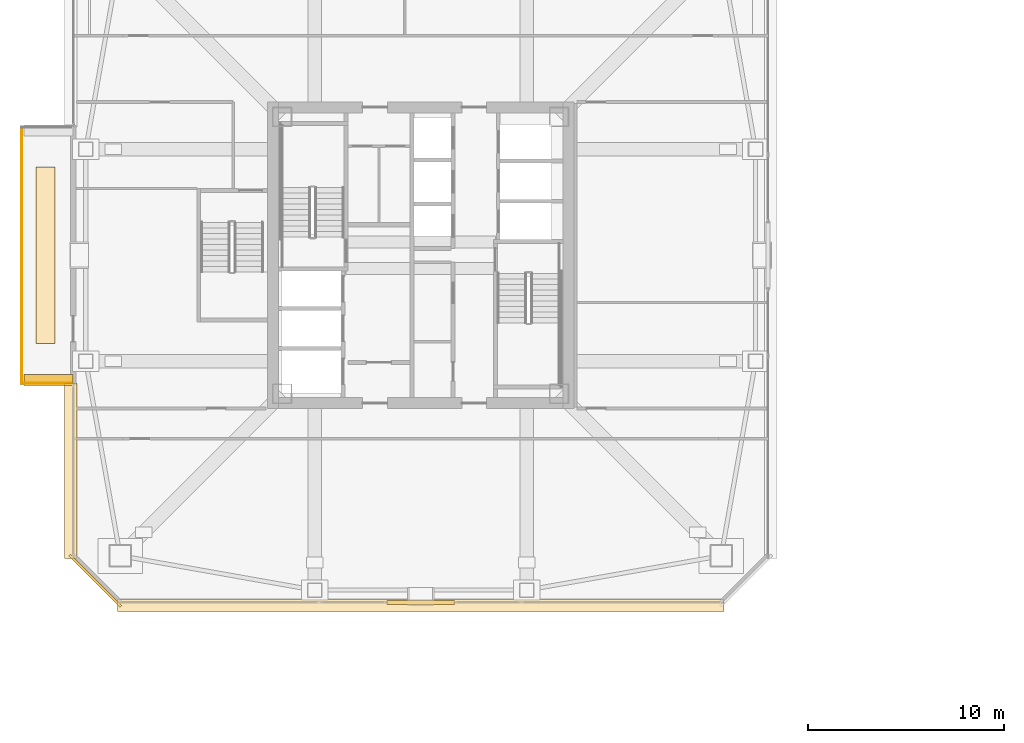
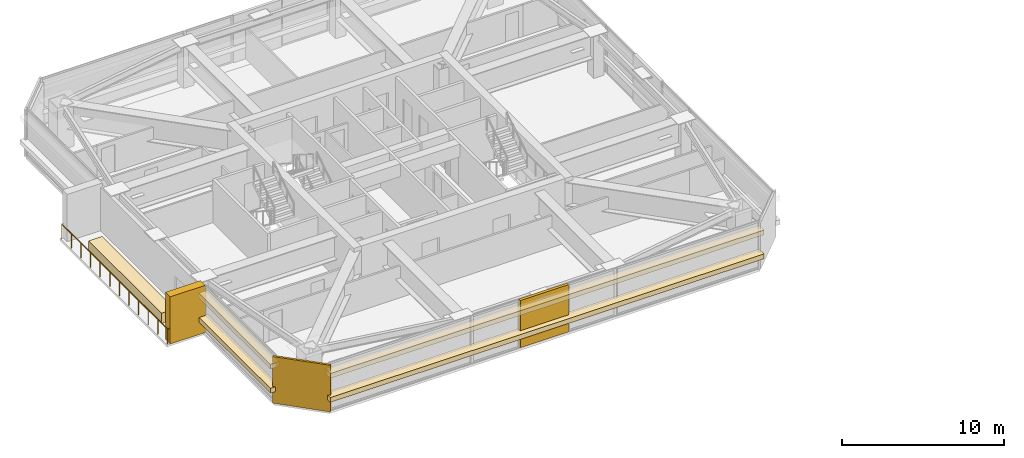
# One storey, part 37 of 42: 8 coverings, 2 railings.
"""IFC4 building model written with IfcOpenShell, lengths in metres."""

from ifc_helpers import new_model, si_unit, direction, frame, origin, origin_2d, place, context, subcontext, project, spatial, rectangle, extrude, material, layer, layer_set, type_object, element, save


model = new_model("IFC4")

# Units and contexts
model_context = context("Model", 3, precision=1e-05, world=origin(), true_north=direction((0.0, 1.0)))
body_context = subcontext(model_context, "Body", "Model", "MODEL_VIEW")
ifc_project = project(units=[si_unit("LENGTHUNIT", "METRE"), si_unit("AREAUNIT", "SQUARE_METRE"), si_unit("VOLUMEUNIT", "CUBIC_METRE"), si_unit("PLANEANGLEUNIT", "RADIAN"), si_unit("MASSUNIT", "GRAM", prefix="KILO")], contexts=[model_context])

# Site, building, storey
site_placement = place(None, origin())
site = spatial("IfcSite", under=ifc_project, at=site_placement, CompositionType="ELEMENT")
building_placement = place(site_placement, origin())
building = spatial("IfcBuilding", under=site, at=building_placement, Name="Tashvorn Skyway Center", CompositionType="ELEMENT")
storey_placement = place(building_placement, frame((0.0, 0.0, 196.050048828125)))
storey = spatial("IfcBuildingStorey", under=building, at=storey_placement, Name="L53", CompositionType="ELEMENT", Elevation=196.050048828125)

# Coverings
ifc_material_1 = material(Name="Precast concrete C40/50", Category="concrete")
ifc_layer_1 = layer(ifc_material_1, 0.199951171875)
ifc_layer_set_1 = layer_set([ifc_layer_1], Name="Precast concrete C40/50")
covering_type_1 = type_object("IfcCoveringType", Name="COV-BRACE-CLAD", PredefinedType="CLADDING", material=ifc_layer_set_1)
covering_1_placement = place(storey_placement, frame((42.0, 14.320068359375, 0.0), z_axis=(0.0, 0.0, 1.0), x_axis=(-1.0, 0.0, 0.0)))
element("IfcCovering", 1, at=covering_1_placement, inside=storey, type_object=covering_type_1, Name="Tower 1 L53 South Unitised Curtain Wall Mega-Brace Cladding Band 1", PredefinedType="CLADDING", context=body_context, shape_type="SweptSolid", body=[
    extrude(rectangle(XDim=3.417724609375, YDim=0.199951171875, at=origin_2d()), origin(), (0.0, 0.0, 1.0), 3.550048828125),
])
ifc_material_2 = material(Name="Perforated ceramic-coated bronze aluminium solar screen", Category="aluminium")
ifc_layer_2 = layer(ifc_material_2, 0.85009765625)
ifc_layer_set_2 = layer_set([ifc_layer_2], Name="Perforated ceramic-coated bronze aluminium solar screen")
covering_type_2 = type_object("IfcCoveringType", Name="COV-SOLAR-BAND", PredefinedType="CLADDING", material=ifc_layer_set_2)
for number, where, z_axis, x_axis, name in (
    (2, (42.0, 14.179931640625, 0.919921875), (0.0, 0.0, 1.0), (-1.0, 0.0, 0.0), "L53 Perforated Ceramic-Metal Solar Screen Louvre Band South 1"),
    (3, (42.0, 14.179931640625, 2.7197265625), (0.0, 0.0, 1.0), (-1.0, 0.0, 0.0), "L53 Perforated Ceramic-Metal Solar Screen Louvre Band South 2"),
):
    element("IfcCovering", number, at=place(storey_placement, frame(where, z_axis=z_axis, x_axis=x_axis)), inside=storey, type_object=covering_type_2, Name=name, PredefinedType="CLADDING", context=body_context, shape_type="SweptSolid", body=[
        extrude(rectangle(XDim=30.8798828125, YDim=0.639892578125, at=origin_2d()), origin(), (0.0, 0.0, 1.0), 0.360107421875),
    ])
for number, where, z_axis, x_axis, name in (
    (4, (24.179931640625, 21.010009765625, 0.919921875), (0.0, 0.0, 1.0), (0.0, 1.0, 0.0), "L53 Perforated Ceramic-Metal Solar Screen Louvre Band West 1"),
    (5, (24.179931640625, 21.010009765625, 2.7197265625), (0.0, 0.0, 1.0), (0.0, 1.0, 0.0), "L53 Perforated Ceramic-Metal Solar Screen Louvre Band West 2"),
):
    element("IfcCovering", number, at=place(storey_placement, frame(where, z_axis=z_axis, x_axis=x_axis)), inside=storey, type_object=covering_type_2, Name=name, PredefinedType="CLADDING", context=body_context, shape_type="SweptSolid", body=[
        extrude(rectangle(XDim=8.89990234375, YDim=0.639892578125, at=origin_2d()), origin(), (0.0, 0.0, 1.0), 0.360107421875),
    ])
ifc_layer_3 = layer(ifc_material_1, 0.35009765625)
ifc_layer_set_3 = layer_set([ifc_layer_3], Name="Precast concrete C40/50")
covering_type_3 = type_object("IfcCoveringType", Name="COV-STONE-TRIM", PredefinedType="CLADDING", material=ifc_layer_set_3)
covering_2_placement = place(storey_placement, frame((23.050048828125, 25.64990234375, 0.0), z_axis=(0.0, 0.0, 1.0), x_axis=(0.0, 1.0, 0.0)))
element("IfcCovering", 6, at=covering_2_placement, inside=storey, type_object=covering_type_3, Name="Tower 1 L53 Sky Garden Loggia Pier L", PredefinedType="CLADDING", context=body_context, shape_type="SweptSolid", body=[
    extrude(rectangle(XDim=0.580078125, YDim=2.5, at=origin_2d()), origin(), (0.0, 0.0, 1.0), 3.550048828125),
])
covering_3_placement = place(storey_placement, frame((22.89990234375, 32.0, 0.0), z_axis=(0.0, 0.0, 1.0), x_axis=(0.0, 1.0, 0.0)))
element("IfcCovering", 7, at=covering_3_placement, inside=storey, type_object=covering_type_3, Name="Tower 1 L53 Sky Garden Stone Planter Bed", PredefinedType="CLADDING", context=body_context, shape_type="SweptSolid", body=[
    extrude(rectangle(XDim=8.97607421875, YDim=0.949951171875, at=origin_2d()), origin(), (0.0, 0.0, 1.0), 0.800048828125),
])
covering_4_placement = place(storey_placement, frame((25.429931640625, 15.429931640625, 0.02001953125), z_axis=(0.0, 0.0, 1.0), x_axis=(-0.707106781187, 0.707106781187, 0.0)))
element("IfcCovering", 8, at=covering_4_placement, inside=storey, type_object=covering_type_3, Name="Tower 1 L53 SW Mojave Limestone Corner Quoin", PredefinedType="CLADDING", context=body_context, shape_type="SweptSolid", body=[
    extrude(rectangle(XDim=3.695556640625, YDim=0.139892578125, at=origin_2d()), origin(), (0.0, 0.0, 1.0), 3.510009765625),
])

# Railings
ifc_material_3 = material(Name="Galvanized steel S355", Category="steel")
railing_type = type_object("IfcRailingType", Name="RAIL-GUARD-1120", PredefinedType="GUARDRAIL", material=ifc_material_3)
railing_1_placement = place(storey_placement, frame((24.199951171875, 25.47998046875, 0.0)))
element("IfcRailing", 9, at=railing_1_placement, inside=storey, type_object=railing_type, Name="L53 Tower 1 Terrace Guardrail 01", PredefinedType="GUARDRAIL", context=body_context, shape_type="SweptSolid", body=[
    extrude(rectangle(XDim=0.048095703125, YDim=0.048095703125, at=origin_2d()), frame((0.0, 0.0, 1.09619140625), z_axis=(-1.0, 0.0, 0.0), x_axis=(0.0, -1.0, 0.0)), (0.0, 0.0, 1.0), 2.52001953125),
    extrude(rectangle(XDim=0.0419921875, YDim=0.0419921875, at=origin_2d()), origin(), (0.0, 0.0, 1.0), 1.072021484375),
    extrude(rectangle(XDim=0.0419921875, YDim=0.0419921875, at=origin_2d()), frame((-0.840087890625, 0.0, 0.0)), (0.0, 0.0, 1.0), 1.072021484375),
    extrude(rectangle(XDim=0.0419921875, YDim=0.0419921875, at=origin_2d()), frame((-1.679931640625, 0.0, 0.0)), (0.0, 0.0, 1.0), 1.072021484375),
    extrude(rectangle(XDim=0.0419921875, YDim=0.0419921875, at=origin_2d()), frame((-2.52001953125, 0.0, 0.0)), (0.0, 0.0, 1.0), 1.072021484375),
])
railing_2_placement = place(storey_placement, frame((21.679931640625, 25.47998046875, 0.0)))
element("IfcRailing", 10, at=railing_2_placement, inside=storey, type_object=railing_type, Name="L53 Tower 1 Terrace Guardrail 02", PredefinedType="GUARDRAIL", context=body_context, shape_type="SweptSolid", body=[
    extrude(rectangle(XDim=0.048095703125, YDim=0.048095703125, at=origin_2d()), frame((0.0, 0.0, 1.09619140625), z_axis=(0.0, 1.0, 0.0), x_axis=(-1.0, 0.0, 0.0)), (0.0, 0.0, 1.0), 13.0400390625),
    extrude(rectangle(XDim=0.0419921875, YDim=0.0419921875, at=origin_2d()), origin(), (0.0, 0.0, 1.0), 1.072021484375),
    extrude(rectangle(XDim=0.0419921875, YDim=0.0419921875, at=origin_2d()), frame((0.0, 1.185546875, 0.0)), (0.0, 0.0, 1.0), 1.072021484375),
    extrude(rectangle(XDim=0.0419921875, YDim=0.0419921875, at=origin_2d()), frame((0.0, 2.370849609375, 0.0)), (0.0, 0.0, 1.0), 1.072021484375),
    extrude(rectangle(XDim=0.0419921875, YDim=0.0419921875, at=origin_2d()), frame((0.0, 3.556396484375, 0.0)), (0.0, 0.0, 1.0), 1.072021484375),
    extrude(rectangle(XDim=0.0419921875, YDim=0.0419921875, at=origin_2d()), frame((0.0, 4.741943359375, 0.0)), (0.0, 0.0, 1.0), 1.072021484375),
    extrude(rectangle(XDim=0.0419921875, YDim=0.0419921875, at=origin_2d()), frame((0.0, 5.92724609375, 0.0)), (0.0, 0.0, 1.0), 1.072021484375),
    extrude(rectangle(XDim=0.0419921875, YDim=0.0419921875, at=origin_2d()), frame((0.0, 7.11279296875, 0.0)), (0.0, 0.0, 1.0), 1.072021484375),
    extrude(rectangle(XDim=0.0419921875, YDim=0.0419921875, at=origin_2d()), frame((0.0, 8.298095703125, 0.0)), (0.0, 0.0, 1.0), 1.072021484375),
    extrude(rectangle(XDim=0.0419921875, YDim=0.0419921875, at=origin_2d()), frame((0.0, 9.483642578125, 0.0)), (0.0, 0.0, 1.0), 1.072021484375),
    extrude(rectangle(XDim=0.0419921875, YDim=0.0419921875, at=origin_2d()), frame((0.0, 10.669189453125, 0.0)), (0.0, 0.0, 1.0), 1.072021484375),
    extrude(rectangle(XDim=0.0419921875, YDim=0.0419921875, at=origin_2d()), frame((0.0, 11.8544921875, 0.0)), (0.0, 0.0, 1.0), 1.072021484375),
    extrude(rectangle(XDim=0.0419921875, YDim=0.0419921875, at=origin_2d()), frame((0.0, 13.0400390625, 0.0)), (0.0, 0.0, 1.0), 1.072021484375),
])

save(model, "model.ifc")
